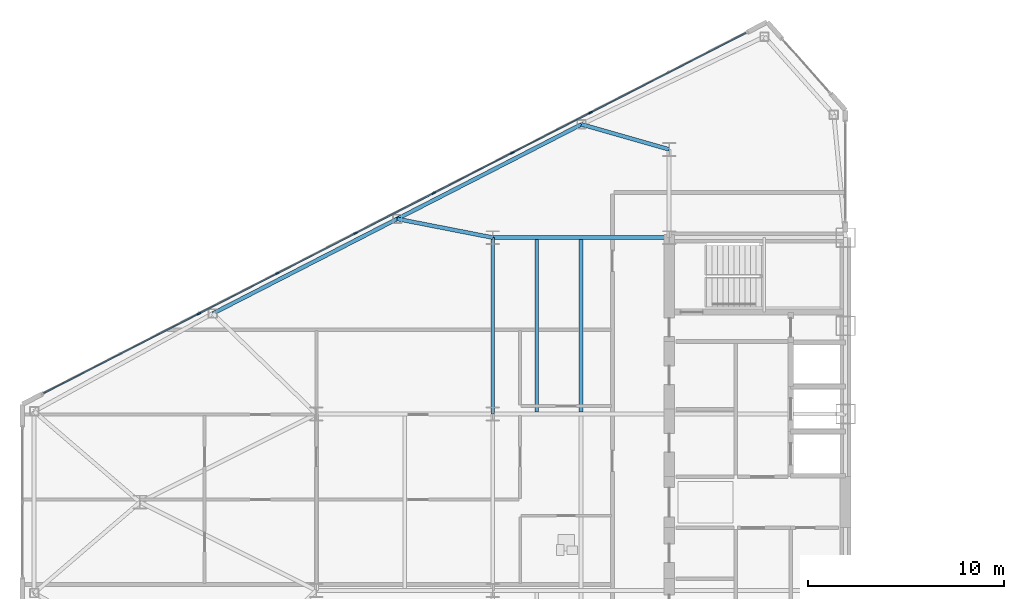
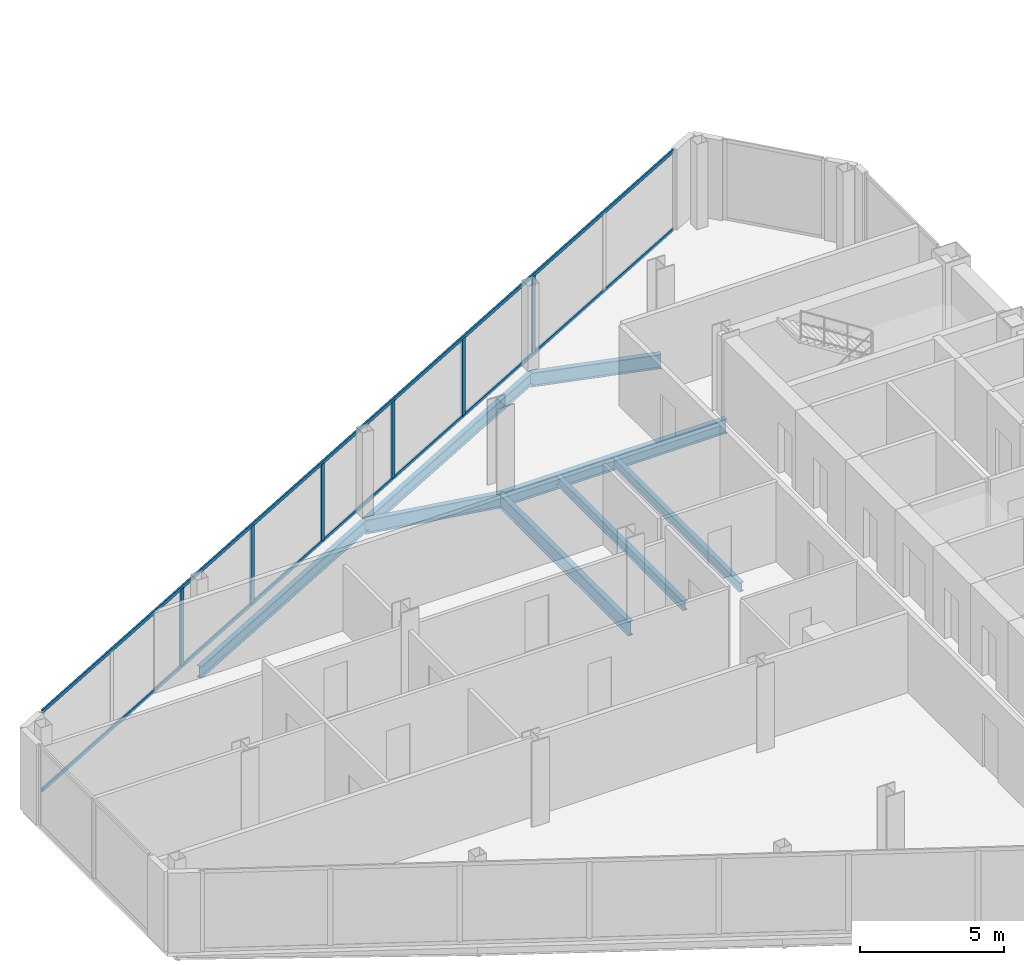
# One storey, part 6 of 22: 8 beams, 8 members, 1 element without a shape of its own.
"""IFC4 building model written with IfcOpenShell, lengths in metres."""

from ifc_helpers import new_model, si_unit, direction, frame, origin, origin_2d, place, context, subcontext, project, spatial, rectangle, i_section, extrude, source, transform, mapped, material, layer, layer_set, material_profile, profile_set, type_object, type_shapes, element, aggregate, save


model = new_model("IFC4")

# Units and contexts
model_context = context("Model", 3, precision=1e-05, world=origin(), true_north=direction((0.0, 1.0)))
body_context = subcontext(model_context, "Body", "Model", "MODEL_VIEW")
ifc_project = project(units=[si_unit("LENGTHUNIT", "METRE"), si_unit("AREAUNIT", "SQUARE_METRE"), si_unit("VOLUMEUNIT", "CUBIC_METRE"), si_unit("PLANEANGLEUNIT", "RADIAN"), si_unit("MASSUNIT", "GRAM", prefix="KILO")], contexts=[model_context])

# Site, building, storey
site_placement = place(None, origin())
site = spatial("IfcSite", under=ifc_project, at=site_placement, CompositionType="ELEMENT")
building_placement = place(site_placement, origin())
building = spatial("IfcBuilding", under=site, at=building_placement, Name="Seokmaru Belvedere", CompositionType="ELEMENT")
storey_placement = place(building_placement, frame((0.0, 0.0, 151.199951171875)))
storey = spatial("IfcBuildingStorey", under=building, at=storey_placement, Name="L40", CompositionType="ELEMENT", Elevation=151.199951171875)

# Beams
ifc_material_1 = material(Name="Steel SM355 (355 MPa)", Category="steel")
ifc_material_profile_1 = material_profile(ifc_material_1, i_section(OverallWidth=0.199951171875, OverallDepth=0.60009765625, WebThickness=0.010986328125, FlangeThickness=0.01708984375, at=origin_2d()), Name="H-600x200x11x17")
ifc_profile_set_1 = profile_set([ifc_material_profile_1], Name="Steel SM355 (355 MPa)")
beam_type_1 = type_object("IfcBeamType", Name="Primary Floor Girder H-600", PredefinedType="BEAM", material=ifc_profile_set_1)
shared_shape_1 = source(origin(), body_context, "Body", "SweptSolid", [
    extrude(i_section(OverallWidth=0.199951171875, OverallDepth=0.60009765625, WebThickness=0.010986328125, FlangeThickness=0.01708984375, at=origin_2d()), origin(), (0.0, 0.0, 1.0), 9.0),
])
for number, where, z_axis, x_axis, name in (
    (1, (-45.5, 4.5, -0.52001953125), (0.0, 1.0, 0.0), (-1.0, 0.0, 0.0), "L40 W Interior Grid Girder 3"),
    (2, (-45.5, 13.5, -0.52001953125), (1.0, 0.0, 0.0), (0.0, 1.0, 0.0), "L40 W Wing Primary Girder 4"),
):
    element("IfcBeam", number, at=place(storey_placement, frame(where, z_axis=z_axis, x_axis=x_axis)), inside=storey, type_object=beam_type_1, Name=name, PredefinedType="BEAM", context=body_context, shape_type="MappedRepresentation", body=[
        mapped(shared_shape_1, transform((0.0, 0.0, 0.0), scale=1.0)),
    ])
ifc_material_profile_2 = material_profile(ifc_material_1, i_section(OverallWidth=0.18505859375, OverallDepth=0.389892578125, WebThickness=0.008056640625, FlangeThickness=0.011962890625, at=origin_2d()), Name="H-390x185x8x12")
ifc_profile_set_2 = profile_set([ifc_material_profile_2], Name="Steel SM355 (355 MPa)")
beam_type_2 = type_object("IfcBeamType", Name="Secondary Floor Joist H-350", PredefinedType="JOIST", material=ifc_profile_set_2)
shared_shape_2 = source(origin(), body_context, "Body", "SweptSolid", [
    extrude(i_section(OverallWidth=0.18505859375, OverallDepth=0.389892578125, WebThickness=0.008056640625, FlangeThickness=0.011962890625, at=origin_2d()), origin(), (0.0, 0.0, 1.0), 8.7900390625),
])
type_shapes(beam_type_2, [shared_shape_2])
for number, where, z_axis, x_axis, name in (
    (3, (-43.25, 4.60498046875, -0.4150390625), (0.0, 1.0, 0.0), (-1.0, 0.0, 0.0), "L40 W Wing Inner Secondary Joist 2"),
    (4, (-41.0, 4.60498046875, -0.4150390625), (0.0, 1.0, 0.0), (-1.0, 0.0, 0.0), "L40 W Secondary Floor Joist 3"),
):
    element("IfcBeam", number, at=place(storey_placement, frame(where, z_axis=z_axis, x_axis=x_axis)), inside=storey, type_object=beam_type_2, Name=name, PredefinedType="JOIST", context=body_context, shape_type="MappedRepresentation", body=[
        mapped(shared_shape_2, transform((0.0, 0.0, 0.0), scale=1.0)),
    ])
ifc_material_profile_3 = material_profile(ifc_material_1, i_section(OverallWidth=0.199951171875, OverallDepth=0.5, WebThickness=0.010009765625, FlangeThickness=0.01611328125, at=origin_2d()), Name="H-500x200x10x16")
ifc_profile_set_3 = profile_set([ifc_material_profile_3], Name="Steel SM355 (355 MPa)")
beam_type_3 = type_object("IfcBeamType", Name="Perimeter Spandrel Beam H-500", PredefinedType="SPANDREL", material=ifc_profile_set_3)
shared_shape_3 = source(origin(), body_context, "Body", "SweptSolid", [
    extrude(i_section(OverallWidth=0.199951171875, OverallDepth=0.5, WebThickness=0.010009765625, FlangeThickness=0.01611328125, at=origin_2d()), origin(), (0.0, 0.0, 1.0), 10.56689453125),
])
type_shapes(beam_type_3, [shared_shape_3])
for number, where, z_axis, x_axis, name in (
    (5, (-40.975830078125, 19.277587890625, -0.469970703125), (-0.889701972758, -0.45654178305, 0.0), (0.45654178305, -0.889701972758, 0.0), "L40 W Faceted Flank Spandrel N-2"),
    (6, (-50.377197265625, 14.453369140625, -0.469970703125), (-0.889692588006, -0.456560071455, 0.0), (0.456560071455, -0.889692588006, 0.0), "L40 W Faceted Flank Spandrel N-3"),
):
    element("IfcBeam", number, at=place(storey_placement, frame(where, z_axis=z_axis, x_axis=x_axis)), inside=storey, type_object=beam_type_3, Name=name, PredefinedType="SPANDREL", context=body_context, shape_type="MappedRepresentation", body=[
        mapped(shared_shape_3, transform((0.0, 0.0, 0.0), scale=1.0)),
    ])
shared_shape_4 = source(origin(), body_context, "Body", "SweptSolid", [
    extrude(i_section(OverallWidth=0.199951171875, OverallDepth=0.60009765625, WebThickness=0.010986328125, FlangeThickness=0.01708984375, at=origin_2d()), origin(), (0.0, 0.0, 1.0), 4.654541015625),
])
beam_1_placement = place(storey_placement, frame((-40.975830078125, 19.277587890625, -0.52001953125), z_axis=(0.961593192625, -0.274478654721, 0.0), x_axis=(0.274478654721, 0.961593192625, 0.0)))
element("IfcBeam", 7, at=beam_1_placement, inside=storey, type_object=beam_type_1, Name="L40 W Flank Radial Floor Girder N-1", PredefinedType="BEAM", context=body_context, shape_type="MappedRepresentation", body=[
    mapped(shared_shape_4, transform((0.0, 0.0, 0.0), scale=1.0)),
])
shared_shape_5 = source(origin(), body_context, "Body", "SweptSolid", [
    extrude(i_section(OverallWidth=0.199951171875, OverallDepth=0.60009765625, WebThickness=0.010986328125, FlangeThickness=0.01708984375, at=origin_2d()), origin(), (0.0, 0.0, 1.0), 4.969482421875),
])
type_shapes(beam_type_1, [shared_shape_1, shared_shape_4, shared_shape_5])
beam_2_placement = place(storey_placement, frame((-50.377197265625, 14.453369140625, -0.52001953125), z_axis=(0.98142544456, -0.19184393858, 0.0), x_axis=(0.19184393858, 0.98142544456, 0.0)))
element("IfcBeam", 8, at=beam_2_placement, inside=storey, type_object=beam_type_1, Name="L40 W Flank Radial Floor Girder N-2", PredefinedType="BEAM", context=body_context, shape_type="MappedRepresentation", body=[
    mapped(shared_shape_5, transform((0.0, 0.0, 0.0), scale=1.0)),
])

# Curtain wall, members
ifc_material_2 = material(Name="Bronze Triple Insulating Glass", Category="glass")
ifc_layer = layer(ifc_material_2, 0.195068359375)
ifc_layer_set = layer_set([ifc_layer], Name="Bronze Triple Insulating Glass")
curtain_wall_type = type_object("IfcCurtainWallType", Name="Sky-Lobby and Mid-Rise Curtain Wall System CW-4", PredefinedType="NOTDEFINED", material=ifc_layer_set)
curtain_wall_placement = place(storey_placement, origin())
curtain_wall = element("IfcCurtainWall", 9, at=curtain_wall_placement, inside=storey, type_object=curtain_wall_type, Name="L40 Curtain Wall WF3", PredefinedType="NOTDEFINED")
ifc_material_3 = material(Name="Anodised Bronze Aluminium", Category="aluminium")
ifc_material_profile_4 = material_profile(ifc_material_3, rectangle(XDim=0.070068359375, YDim=0.195068359375, at=origin_2d()), Name="CW-M-70x195")
ifc_profile_set_4 = profile_set([ifc_material_profile_4], Name="Anodised Bronze Aluminium")
member_type_1 = type_object("IfcMemberType", Name="Bronze Unitised Mullion 70x195", PredefinedType="MULLION", material=ifc_profile_set_4)
shared_shape_6 = source(origin(), body_context, "Body", "SweptSolid", [
    extrude(rectangle(XDim=0.070068359375, YDim=0.195068359375, at=origin_2d()), origin(), (0.0, 0.0, 1.0), 3.25),
])
type_shapes(member_type_1, [shared_shape_6])
member_1_placement = place(storey_placement, frame((-40.5126953125, 19.875, 0.06494140625), z_axis=(0.0, 0.0, 1.0), x_axis=(0.456554528263, -0.889695432562, 0.0)))
member_1 = element("IfcMember", 10, at=member_1_placement, type_object=member_type_1, Name="CW:L40:WF3 Mullion 3", PredefinedType="MULLION", context=body_context, shape_type="MappedRepresentation", body=[
    mapped(shared_shape_6, transform((0.0, 0.0, 0.0), scale=1.0)),
])
member_2_placement = place(storey_placement, frame((-44.5078125, 17.824951171875, 0.06494140625), z_axis=(0.0, 0.0, 1.0), x_axis=(0.456554528263, -0.889695432562, 0.0)))
member_2 = element("IfcMember", 11, at=member_2_placement, type_object=member_type_1, Name="CW:L40:WF3 Mullion 4", PredefinedType="MULLION", context=body_context, shape_type="MappedRepresentation", body=[
    mapped(shared_shape_6, transform((0.0, 0.0, 0.0), scale=1.0)),
])
member_3_placement = place(storey_placement, frame((-48.502685546875, 15.77490234375, 0.06494140625), z_axis=(0.0, 0.0, 1.0), x_axis=(0.456554528263, -0.889695432562, 0.0)))
member_3 = element("IfcMember", 12, at=member_3_placement, type_object=member_type_1, Name="CW:L40:WF3 Mullion 5", PredefinedType="MULLION", context=body_context, shape_type="MappedRepresentation", body=[
    mapped(shared_shape_6, transform((0.0, 0.0, 0.0), scale=1.0)),
])
member_4_placement = place(storey_placement, frame((-52.497314453125, 13.72509765625, 0.06494140625), z_axis=(0.0, 0.0, 1.0), x_axis=(0.456554528263, -0.889695432562, 0.0)))
member_4 = element("IfcMember", 13, at=member_4_placement, type_object=member_type_1, Name="CW:L40:WF3 Mullion 6", PredefinedType="MULLION", context=body_context, shape_type="MappedRepresentation", body=[
    mapped(shared_shape_6, transform((0.0, 0.0, 0.0), scale=1.0)),
])
member_5_placement = place(storey_placement, frame((-56.4921875, 11.675048828125, 0.06494140625), z_axis=(0.0, 0.0, 1.0), x_axis=(0.456554528263, -0.889695432562, 0.0)))
member_5 = element("IfcMember", 14, at=member_5_placement, type_object=member_type_1, Name="CW:L40:WF3 Mullion 7", PredefinedType="MULLION", context=body_context, shape_type="MappedRepresentation", body=[
    mapped(shared_shape_6, transform((0.0, 0.0, 0.0), scale=1.0)),
])
member_6_placement = place(storey_placement, frame((-60.4873046875, 9.625, 0.06494140625), z_axis=(0.0, 0.0, 1.0), x_axis=(0.456554528263, -0.889695432562, 0.0)))
member_6 = element("IfcMember", 15, at=member_6_placement, type_object=member_type_1, Name="CW:L40:WF3 Mullion 8", PredefinedType="MULLION", context=body_context, shape_type="MappedRepresentation", body=[
    mapped(shared_shape_6, transform((0.0, 0.0, 0.0), scale=1.0)),
])
ifc_material_profile_5 = material_profile(ifc_material_3, rectangle(XDim=0.06494140625, YDim=0.14990234375, at=origin_2d()), Name="CW-T-65x150")
ifc_profile_set_5 = profile_set([ifc_material_profile_5], Name="Anodised Bronze Aluminium")
member_type_2 = type_object("IfcMemberType", Name="Bronze Unitised Transom 65x150", PredefinedType="USERDEFINED", material=ifc_profile_set_5)
shared_shape_7 = source(origin(), body_context, "Body", "SweptSolid", [
    extrude(rectangle(XDim=0.06494140625, YDim=0.14990234375, at=origin_2d()), origin(), (0.0, 0.0, 1.0), 40.271240234375),
])
type_shapes(member_type_2, [shared_shape_7])
member_7_placement = place(storey_placement, frame((-32.58544921875, 23.943115234375, 0.032470703125), z_axis=(-0.889693089107, -0.456559094965, 0.0), x_axis=(0.456559094965, -0.889693089107, 0.0)))
member_7 = element("IfcMember", 16, at=member_7_placement, type_object=member_type_2, Name="CW:L40:WF3 Continuous Transom 1", ObjectType="TRANSOM", PredefinedType="USERDEFINED", context=body_context, shape_type="MappedRepresentation", body=[
    mapped(shared_shape_7, transform((0.0, 0.0, 0.0), scale=1.0)),
])
member_8_placement = place(storey_placement, frame((-32.58544921875, 23.943115234375, 3.34765625), z_axis=(-0.889693089107, -0.456559094965, 0.0), x_axis=(0.456559094965, -0.889693089107, 0.0)))
member_8 = element("IfcMember", 17, at=member_8_placement, type_object=member_type_2, Name="CW:L40:WF3 Continuous Transom 2", ObjectType="TRANSOM", PredefinedType="USERDEFINED", context=body_context, shape_type="MappedRepresentation", body=[
    mapped(shared_shape_7, transform((0.0, 0.0, 0.0), scale=1.0)),
])
aggregate(curtain_wall, [member_1, member_2, member_3, member_4, member_5, member_6, member_7, member_8])

save(model, "model.ifc")
